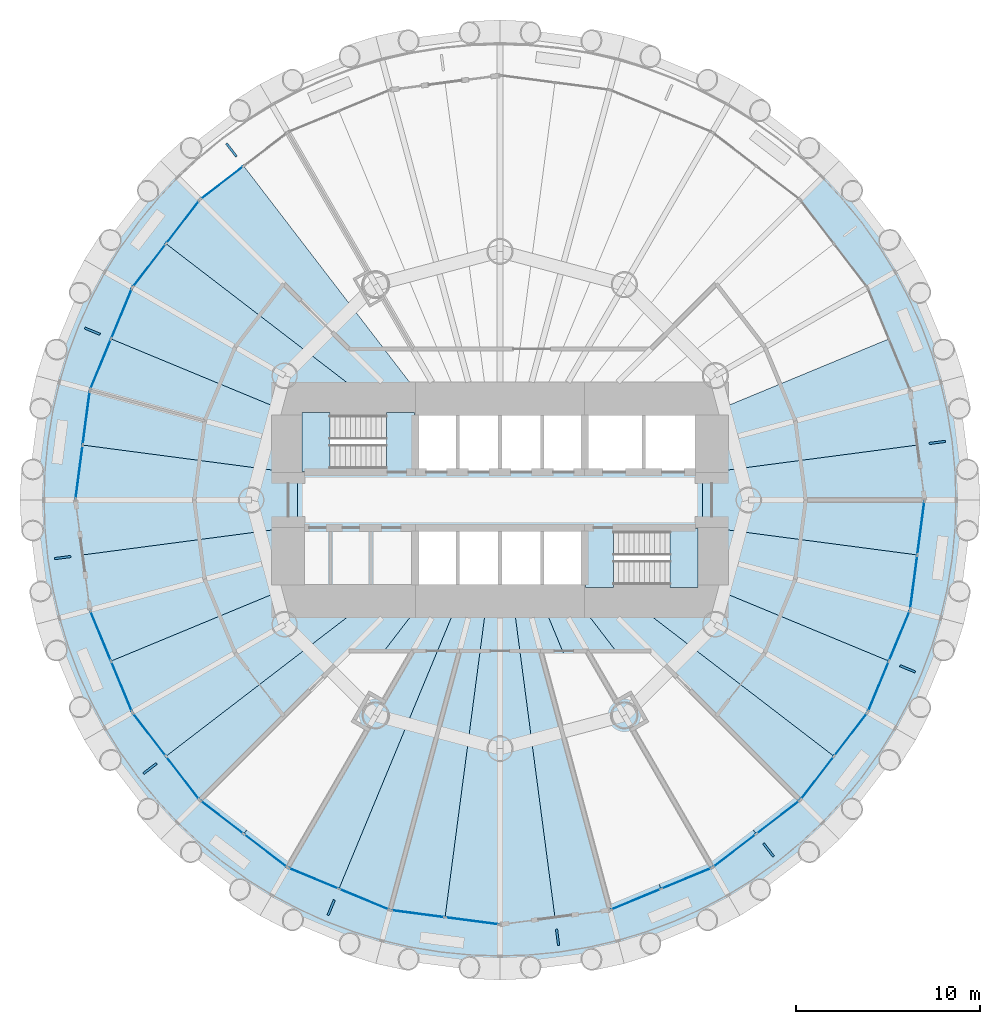
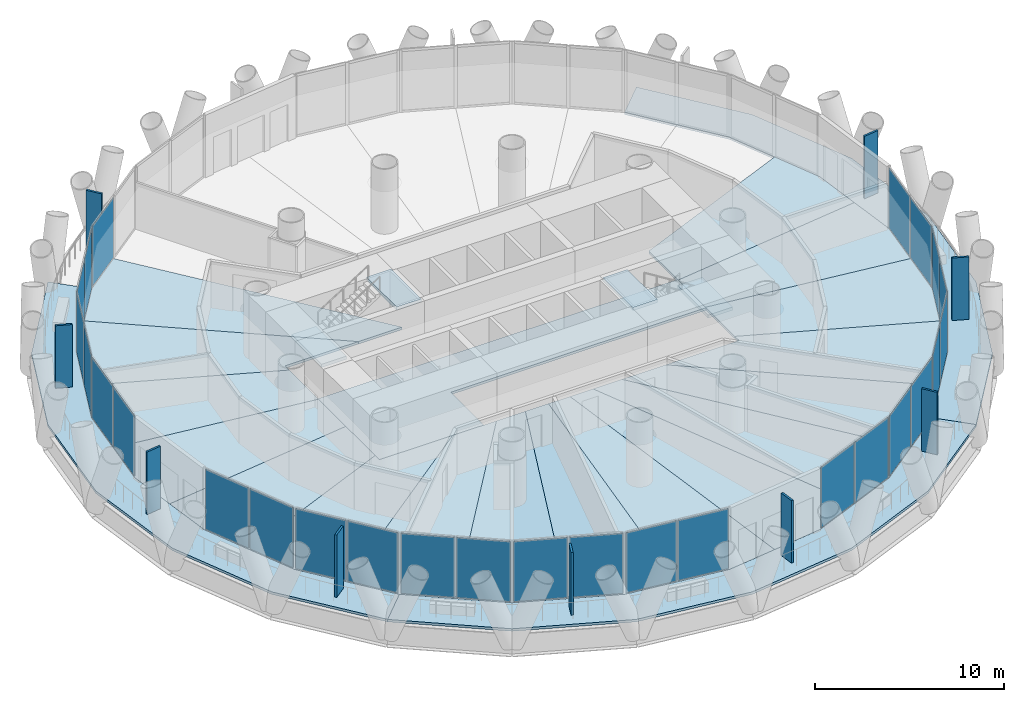
# One storey, part 7 of 14: 36 plates, 25 slabs, 16 elements without a shape of their own.
"""IFC4 building model written with IfcOpenShell, lengths in metres."""

from ifc_helpers import new_model, si_unit, direction, frame, origin, origin_2d, place, context, subcontext, project, spatial, polyline, rectangle, outline, extrude, material, layer, layer_set, type_object, element, aggregate, save


model = new_model("IFC4")

# Units and contexts
model_context = context("Model", 3, precision=1e-05, world=origin(), true_north=direction((0.0, 1.0)))
body_context = subcontext(model_context, "Body", "Model", "MODEL_VIEW")
ifc_project = project(units=[si_unit("LENGTHUNIT", "METRE"), si_unit("AREAUNIT", "SQUARE_METRE"), si_unit("VOLUMEUNIT", "CUBIC_METRE"), si_unit("PLANEANGLEUNIT", "RADIAN"), si_unit("MASSUNIT", "GRAM", prefix="KILO")], contexts=[model_context])

# Site, building, storey
site_placement = place(None, origin())
site = spatial("IfcSite", under=ifc_project, at=site_placement, CompositionType="ELEMENT")
building_placement = place(site_placement, origin())
building = spatial("IfcBuilding", under=site, at=building_placement, Name="Qaws Media Tower", CompositionType="ELEMENT")
storey_placement = place(building_placement, frame((0.0, 0.0, 93.199951171875)))
storey = spatial("IfcBuildingStorey", under=building, at=storey_placement, Name="L20", CompositionType="ELEMENT", Elevation=93.199951171875)

# Slabs
ifc_material_1 = material(Name="Concrete C35/45", Category="concrete")
ifc_layer_1 = layer(ifc_material_1, 0.159912109375)
ifc_layer_set_1 = layer_set([ifc_layer_1], Name="Composite balcony slab 160")
slab_type_1 = type_object("IfcSlabType", Name="Composite balcony slab 160", PredefinedType="FLOOR", material=ifc_layer_set_1)
slab_1_placement = place(storey_placement, frame((0.0, 0.0, -0.159912109375)))
element("IfcSlab", 1, at=slab_1_placement, inside=storey, type_object=slab_type_1, Name="S2 balcony slab L20 R10 to R16, movement joints on R10 and R16", PredefinedType="FLOOR", context=body_context, shape_type="SweptSolid", body=[
    extrude(outline(polyline([(37.959716796875, 37.27490234375), (35.417236328125, 43.4130859375), (34.550048828125, 50.0), (35.417236328125, 56.5869140625), (37.959716796875, 62.72509765625), (42.004150390625, 67.995849609375), (43.701171875, 66.298828125), (40.0380859375, 61.52490234375), (37.7353515625, 55.9658203125), (36.949951171875, 50.0), (37.7353515625, 44.0341796875), (40.0380859375, 38.47509765625), (43.701171875, 33.701171875), (42.004150390625, 32.004150390625), (37.959716796875, 37.27490234375)])), origin(), (0.0, 0.0, 1.0), 0.159912109375),
])
slab_2_placement = place(storey_placement, frame((0.0, 0.0, -0.159912109375)))
element("IfcSlab", 2, at=slab_2_placement, inside=storey, type_object=slab_type_1, Name="S2 balcony slab L20 R16 to R22, movement joints on R16 and R22", PredefinedType="FLOOR", context=body_context, shape_type="SweptSolid", body=[
    extrude(outline(polyline([(72.72509765625, 27.959716796875), (66.5869140625, 25.417236328125), (60.0, 24.550048828125), (53.4130859375, 25.417236328125), (47.27490234375, 27.959716796875), (42.004150390625, 32.004150390625), (43.701171875, 33.701171875), (48.47509765625, 30.0380859375), (54.0341796875, 27.7353515625), (60.0, 26.949951171875), (65.9658203125, 27.7353515625), (71.52490234375, 30.0380859375), (76.298828125, 33.701171875), (77.995849609375, 32.004150390625), (72.72509765625, 27.959716796875)])), origin(), (0.0, 0.0, 1.0), 0.159912109375),
])
slab_3_placement = place(storey_placement, frame((0.0, 0.0, -0.159912109375)))
element("IfcSlab", 3, at=slab_3_placement, inside=storey, type_object=slab_type_1, Name="S2 balcony slab L20 R22 to R04, movement joints on R22 and R04", PredefinedType="FLOOR", context=body_context, shape_type="SweptSolid", body=[
    extrude(outline(polyline([(82.040283203125, 37.27490234375), (77.995849609375, 32.004150390625), (76.298828125, 33.701171875), (79.9619140625, 38.47509765625), (82.2646484375, 44.0341796875), (83.050048828125, 50.0), (82.2646484375, 55.9658203125), (79.9619140625, 61.52490234375), (76.298828125, 66.298828125), (77.995849609375, 67.995849609375), (82.040283203125, 62.72509765625), (84.582763671875, 56.5869140625), (85.449951171875, 50.0), (84.582763671875, 43.4130859375), (82.040283203125, 37.27490234375)])), origin(), (0.0, 0.0, 1.0), 0.159912109375),
])
ifc_material_2 = material(Name="Concrete C35/45", Category="concrete")
ifc_layer_2 = layer(ifc_material_2, 0.159912109375)
ifc_layer_set_2 = layer_set([ifc_layer_2], Name="Composite floor slab 160")
slab_type_2 = type_object("IfcSlabType", Name="Composite floor slab 160", PredefinedType="FLOOR", material=ifc_layer_set_2)
slab_4_placement = place(storey_placement, frame((0.0, 0.0, -0.159912109375)))
element("IfcSlab", 4, at=slab_4_placement, inside=storey, type_object=slab_type_2, Name="S1 core floor slab L20", PredefinedType="FLOOR", context=body_context, shape_type="SweptSolid", body=[
    extrude(outline(polyline([(71.0, 51.5), (71.0, 48.5), (55.39990234375, 48.5), (55.39990234375, 45.0), (49.0, 45.0), (49.0, 51.5), (71.0, 51.5)])), origin(), (0.0, 0.0, 1.0), 0.159912109375),
])
slab_5_placement = place(storey_placement, frame((0.0, 0.0, -0.159912109375)))
element("IfcSlab", 5, at=slab_5_placement, inside=storey, type_object=slab_type_2, Name="S1 floor panel L20 on R01", PredefinedType="FLOOR", context=body_context, shape_type="SweptSolid", body=[
    extrude(outline(polyline([(83.050048828125, 50.0), (82.6572265625, 47.01708984375), (71.0, 48.5517578125), (71.0, 51.4482421875), (82.6572265625, 52.98291015625), (83.050048828125, 50.0)])), origin(), (0.0, 0.0, 1.0), 0.159912109375),
])
slab_6_placement = place(storey_placement, frame((0.0, 0.0, -0.159912109375)))
element("IfcSlab", 6, at=slab_6_placement, inside=storey, type_object=slab_type_2, Name="S1 floor panel L20 on R02", PredefinedType="FLOOR", context=body_context, shape_type="SweptSolid", body=[
    extrude(outline(polyline([(82.2646484375, 55.9658203125), (82.6572265625, 52.98291015625), (71.0, 51.4482421875), (71.0, 54.556396484375), (81.11328125, 58.745361328125), (82.2646484375, 55.9658203125)])), origin(), (0.0, 0.0, 1.0), 0.159912109375),
])
slab_7_placement = place(storey_placement, frame((0.0, 0.0, -0.159912109375)))
element("IfcSlab", 7, at=slab_7_placement, inside=storey, type_object=slab_type_2, Name="S1 floor panel L20 on R10", PredefinedType="FLOOR", context=body_context, shape_type="SweptSolid", body=[
    extrude(outline(polyline([(43.701171875, 66.298828125), (46.088134765625, 68.13037109375), (56.163330078125, 55.0), (53.48388671875, 55.0), (41.86962890625, 63.911865234375), (43.701171875, 66.298828125)])), origin(), (0.0, 0.0, 1.0), 0.159912109375),
])
slab_8_placement = place(storey_placement, frame((0.0, 0.0, -0.159912109375)))
element("IfcSlab", 8, at=slab_8_placement, inside=storey, type_object=slab_type_2, Name="S1 floor panel L20 on R11", PredefinedType="FLOOR", context=body_context, shape_type="SweptSolid", body=[
    extrude(outline(polyline([(40.0380859375, 61.52490234375), (41.86962890625, 63.911865234375), (53.48388671875, 55.0), (49.0, 55.0), (49.0, 54.556396484375), (38.88671875, 58.745361328125), (40.0380859375, 61.52490234375)])), origin(), (0.0, 0.0, 1.0), 0.159912109375),
])
slab_9_placement = place(storey_placement, frame((0.0, 0.0, -0.159912109375)))
element("IfcSlab", 9, at=slab_9_placement, inside=storey, type_object=slab_type_2, Name="S1 floor panel L20 on R12", PredefinedType="FLOOR", context=body_context, shape_type="SweptSolid", body=[
    extrude(outline(polyline([(37.7353515625, 55.9658203125), (38.88671875, 58.745361328125), (49.0, 54.556396484375), (49.0, 51.4482421875), (37.3427734375, 52.98291015625), (37.7353515625, 55.9658203125)])), origin(), (0.0, 0.0, 1.0), 0.159912109375),
])
slab_10_placement = place(storey_placement, frame((0.0, 0.0, -0.159912109375)))
element("IfcSlab", 10, at=slab_10_placement, inside=storey, type_object=slab_type_2, Name="S1 floor panel L20 on R13", PredefinedType="FLOOR", context=body_context, shape_type="SweptSolid", body=[
    extrude(outline(polyline([(36.949951171875, 50.0), (37.3427734375, 52.98291015625), (49.0, 51.4482421875), (49.0, 48.5517578125), (37.3427734375, 47.01708984375), (36.949951171875, 50.0)])), origin(), (0.0, 0.0, 1.0), 0.159912109375),
])
slab_11_placement = place(storey_placement, frame((0.0, 0.0, -0.159912109375)))
element("IfcSlab", 11, at=slab_11_placement, inside=storey, type_object=slab_type_2, Name="S1 floor panel L20 on R14", PredefinedType="FLOOR", context=body_context, shape_type="SweptSolid", body=[
    extrude(outline(polyline([(37.7353515625, 44.0341796875), (37.3427734375, 47.01708984375), (49.0, 48.5517578125), (49.0, 45.443603515625), (38.88671875, 41.254638671875), (37.7353515625, 44.0341796875)])), origin(), (0.0, 0.0, 1.0), 0.159912109375),
])
slab_12_placement = place(storey_placement, frame((0.0, 0.0, -0.159912109375)))
element("IfcSlab", 12, at=slab_12_placement, inside=storey, type_object=slab_type_2, Name="S1 floor panel L20 on R15", PredefinedType="FLOOR", context=body_context, shape_type="SweptSolid", body=[
    extrude(outline(polyline([(40.0380859375, 38.47509765625), (38.88671875, 41.254638671875), (49.0, 45.443603515625), (49.0, 45.0), (53.48388671875, 45.0), (41.86962890625, 36.088134765625), (40.0380859375, 38.47509765625)])), origin(), (0.0, 0.0, 1.0), 0.159912109375),
])
slab_13_placement = place(storey_placement, frame((0.0, 0.0, -0.159912109375)))
element("IfcSlab", 13, at=slab_13_placement, inside=storey, type_object=slab_type_2, Name="S1 floor panel L20 on R16", PredefinedType="FLOOR", context=body_context, shape_type="SweptSolid", body=[
    extrude(outline(polyline([(43.701171875, 33.701171875), (41.86962890625, 36.088134765625), (53.48388671875, 45.0), (56.163330078125, 45.0), (46.088134765625, 31.86962890625), (43.701171875, 33.701171875)])), origin(), (0.0, 0.0, 1.0), 0.159912109375),
])
slab_14_placement = place(storey_placement, frame((0.0, 0.0, -0.159912109375)))
element("IfcSlab", 14, at=slab_14_placement, inside=storey, type_object=slab_type_2, Name="S1 floor panel L20 on R17", PredefinedType="FLOOR", context=body_context, shape_type="SweptSolid", body=[
    extrude(outline(polyline([(48.47509765625, 30.0380859375), (46.088134765625, 31.86962890625), (56.163330078125, 45.0), (57.928955078125, 45.0), (51.254638671875, 28.88671875), (48.47509765625, 30.0380859375)])), origin(), (0.0, 0.0, 1.0), 0.159912109375),
])
slab_15_placement = place(storey_placement, frame((0.0, 0.0, -0.159912109375)))
element("IfcSlab", 15, at=slab_15_placement, inside=storey, type_object=slab_type_2, Name="S1 floor panel L20 on R18", PredefinedType="FLOOR", context=body_context, shape_type="SweptSolid", body=[
    extrude(outline(polyline([(54.0341796875, 27.7353515625), (51.254638671875, 28.88671875), (57.928955078125, 45.0), (59.341796875, 45.0), (57.01708984375, 27.3427734375), (54.0341796875, 27.7353515625)])), origin(), (0.0, 0.0, 1.0), 0.159912109375),
])
slab_16_placement = place(storey_placement, frame((0.0, 0.0, -0.159912109375)))
element("IfcSlab", 16, at=slab_16_placement, inside=storey, type_object=slab_type_2, Name="S1 floor panel L20 on R19", PredefinedType="FLOOR", context=body_context, shape_type="SweptSolid", body=[
    extrude(outline(polyline([(60.0, 26.949951171875), (57.01708984375, 27.3427734375), (59.341796875, 45.0), (60.658203125, 45.0), (62.98291015625, 27.3427734375), (60.0, 26.949951171875)])), origin(), (0.0, 0.0, 1.0), 0.159912109375),
])
slab_17_placement = place(storey_placement, frame((0.0, 0.0, -0.159912109375)))
element("IfcSlab", 17, at=slab_17_placement, inside=storey, type_object=slab_type_2, Name="S1 floor panel L20 on R20", PredefinedType="FLOOR", context=body_context, shape_type="SweptSolid", body=[
    extrude(outline(polyline([(65.9658203125, 27.7353515625), (62.98291015625, 27.3427734375), (60.658203125, 45.0), (62.071044921875, 45.0), (68.745361328125, 28.88671875), (65.9658203125, 27.7353515625)])), origin(), (0.0, 0.0, 1.0), 0.159912109375),
])
slab_18_placement = place(storey_placement, frame((0.0, 0.0, -0.159912109375)))
element("IfcSlab", 18, at=slab_18_placement, inside=storey, type_object=slab_type_2, Name="S1 floor panel L20 on R21", PredefinedType="FLOOR", context=body_context, shape_type="SweptSolid", body=[
    extrude(outline(polyline([(71.52490234375, 30.0380859375), (68.745361328125, 28.88671875), (62.071044921875, 45.0), (63.836669921875, 45.0), (73.911865234375, 31.86962890625), (71.52490234375, 30.0380859375)])), origin(), (0.0, 0.0, 1.0), 0.159912109375),
])
slab_19_placement = place(storey_placement, frame((0.0, 0.0, -0.159912109375)))
element("IfcSlab", 19, at=slab_19_placement, inside=storey, type_object=slab_type_2, Name="S1 floor panel L20 on R22", PredefinedType="FLOOR", context=body_context, shape_type="SweptSolid", body=[
    extrude(outline(polyline([(76.298828125, 33.701171875), (73.911865234375, 31.86962890625), (63.836669921875, 45.0), (66.51611328125, 45.0), (78.13037109375, 36.088134765625), (76.298828125, 33.701171875)])), origin(), (0.0, 0.0, 1.0), 0.159912109375),
])
slab_20_placement = place(storey_placement, frame((0.0, 0.0, -0.159912109375)))
element("IfcSlab", 20, at=slab_20_placement, inside=storey, type_object=slab_type_2, Name="S1 floor panel L20 on R23", PredefinedType="FLOOR", context=body_context, shape_type="SweptSolid", body=[
    extrude(outline(polyline([(79.9619140625, 38.47509765625), (78.13037109375, 36.088134765625), (66.51611328125, 45.0), (71.0, 45.0), (71.0, 45.443603515625), (81.11328125, 41.254638671875), (79.9619140625, 38.47509765625)])), origin(), (0.0, 0.0, 1.0), 0.159912109375),
])
slab_21_placement = place(storey_placement, frame((0.0, 0.0, -0.159912109375)))
element("IfcSlab", 21, at=slab_21_placement, inside=storey, type_object=slab_type_2, Name="S1 floor panel L20 on R24", PredefinedType="FLOOR", context=body_context, shape_type="SweptSolid", body=[
    extrude(outline(polyline([(81.11328125, 41.254638671875), (71.0, 45.443603515625), (71.0, 48.5517578125), (82.6572265625, 47.01708984375), (82.2646484375, 44.0341796875), (81.11328125, 41.254638671875)])), origin(), (0.0, 0.0, 1.0), 0.159912109375),
])

# Curtain wall, plate
ifc_material_3 = material(Name="Aluminium and clear glass", Category="aluminium")
curtain_wall_type = type_object("IfcCurtainWallType", Name="Unitised curtain wall CW-A", PredefinedType="NOTDEFINED", material=ifc_material_3)
curtain_wall_1_placement = place(storey_placement, origin())
curtain_wall_1 = element("IfcCurtainWall", 22, at=curtain_wall_1_placement, inside=storey, type_object=curtain_wall_type, Name="CWA curtain wall L20-09", PredefinedType="NOTDEFINED")
ifc_material_4 = material(Name="Clear laminated double glazing", Category="glass")
ifc_layer_3 = layer(ifc_material_4, 0.031982421875)
ifc_layer_set_3 = layer_set([ifc_layer_3], Name="Curtain wall glass unit 32")
plate_type_1 = type_object("IfcPlateType", Name="Curtain wall glass unit 32", PredefinedType="CURTAIN_PANEL", material=ifc_layer_set_3)
plate_1_placement = place(storey_placement, frame((44.910400390625, 67.226806640625, 0.080078125), z_axis=(0.0, 0.0, 1.0), x_axis=(-0.793353261295, -0.608761531958, 0.0)))
plate_1 = element("IfcPlate", 23, at=plate_1_placement, type_object=plate_type_1, Name="CWA panel 2.1", PredefinedType="CURTAIN_PANEL", context=body_context, shape_type="SweptSolid", body=[
    extrude(rectangle(XDim=2.888671875, YDim=0.031982421875, at=origin_2d()), origin(), (0.0, 0.0, 1.0), 3.8798828125),
])
aggregate(curtain_wall_1, [plate_1])

# Curtain wall, plates
curtain_wall_2_placement = place(storey_placement, origin())
curtain_wall_2 = element("IfcCurtainWall", 24, at=curtain_wall_2_placement, inside=storey, type_object=curtain_wall_type, Name="CWA curtain wall L20-10", PredefinedType="NOTDEFINED")
plate_2_placement = place(storey_placement, frame((42.773193359375, 65.089599609375, 0.080078125), z_axis=(0.0, 0.0, 1.0), x_axis=(-0.608761531958, -0.793353261295, 0.0)))
plate_2 = element("IfcPlate", 25, at=plate_2_placement, type_object=plate_type_1, Name="CWA panel 1.1", PredefinedType="CURTAIN_PANEL", context=body_context, shape_type="SweptSolid", body=[
    extrude(rectangle(XDim=2.888671875, YDim=0.031982421875, at=origin_2d()), origin(), (0.0, 0.0, 1.0), 3.8798828125),
])
plate_3_placement = place(storey_placement, frame((40.966064453125, 62.734375, 0.080078125), z_axis=(0.0, 0.0, 1.0), x_axis=(-0.608761531958, -0.793353261295, 0.0)))
plate_3 = element("IfcPlate", 26, at=plate_3_placement, type_object=plate_type_1, Name="CWA panel 2.1", PredefinedType="CURTAIN_PANEL", context=body_context, shape_type="SweptSolid", body=[
    extrude(rectangle(XDim=2.888671875, YDim=0.031982421875, at=origin_2d()), origin(), (0.0, 0.0, 1.0), 3.8798828125),
])
aggregate(curtain_wall_2, [plate_2, plate_3])

curtain_wall_3_placement = place(storey_placement, origin())
curtain_wall_3 = element("IfcCurtainWall", 27, at=curtain_wall_3_placement, inside=storey, type_object=curtain_wall_type, Name="CWA curtain wall L20-11", PredefinedType="NOTDEFINED")
plate_4_placement = place(storey_placement, frame((39.454833984375, 60.11669921875, 0.080078125), z_axis=(0.0, 0.0, 1.0), x_axis=(-0.382683328183, -0.923879575665, 0.0)))
plate_4 = element("IfcPlate", 28, at=plate_4_placement, type_object=plate_type_1, Name="CWA panel 1.1", PredefinedType="CURTAIN_PANEL", context=body_context, shape_type="SweptSolid", body=[
    extrude(rectangle(XDim=2.888671875, YDim=0.031982421875, at=origin_2d()), origin(), (0.0, 0.0, 1.0), 3.8798828125),
])
plate_5_placement = place(storey_placement, frame((38.31884765625, 57.3740234375, 0.080078125), z_axis=(0.0, 0.0, 1.0), x_axis=(-0.382683328183, -0.923879575665, 0.0)))
plate_5 = element("IfcPlate", 29, at=plate_5_placement, type_object=plate_type_1, Name="CWA panel 2.1", PredefinedType="CURTAIN_PANEL", context=body_context, shape_type="SweptSolid", body=[
    extrude(rectangle(XDim=2.888671875, YDim=0.031982421875, at=origin_2d()), origin(), (0.0, 0.0, 1.0), 3.8798828125),
])
aggregate(curtain_wall_3, [plate_4, plate_5])

curtain_wall_4_placement = place(storey_placement, origin())
curtain_wall_4 = element("IfcCurtainWall", 30, at=curtain_wall_4_placement, inside=storey, type_object=curtain_wall_type, Name="CWA curtain wall L20-12", PredefinedType="NOTDEFINED")
plate_6_placement = place(storey_placement, frame((37.536376953125, 54.45458984375, 0.080078125), z_axis=(0.0, 0.0, 1.0), x_axis=(-0.130526240342, -0.991444855038, 0.0)))
plate_6 = element("IfcPlate", 31, at=plate_6_placement, type_object=plate_type_1, Name="CWA panel 1.1", PredefinedType="CURTAIN_PANEL", context=body_context, shape_type="SweptSolid", body=[
    extrude(rectangle(XDim=2.888671875, YDim=0.031982421875, at=origin_2d()), origin(), (0.0, 0.0, 1.0), 3.8798828125),
])
plate_7_placement = place(storey_placement, frame((37.14892578125, 51.51123046875, 0.080078125), z_axis=(0.0, 0.0, 1.0), x_axis=(-0.130526240342, -0.991444855038, 0.0)))
plate_7 = element("IfcPlate", 32, at=plate_7_placement, type_object=plate_type_1, Name="CWA panel 2.1", PredefinedType="CURTAIN_PANEL", context=body_context, shape_type="SweptSolid", body=[
    extrude(rectangle(XDim=2.888671875, YDim=0.031982421875, at=origin_2d()), origin(), (0.0, 0.0, 1.0), 3.8798828125),
])
aggregate(curtain_wall_4, [plate_6, plate_7])

curtain_wall_5_placement = place(storey_placement, origin())
curtain_wall_5 = element("IfcCurtainWall", 33, at=curtain_wall_5_placement, inside=storey, type_object=curtain_wall_type, Name="CWA curtain wall L20-14", PredefinedType="NOTDEFINED")
plate_8_placement = place(storey_placement, frame((38.31884765625, 42.6259765625, 0.080078125), z_axis=(0.0, 0.0, 1.0), x_axis=(0.382683328183, -0.923879575665, 0.0)))
plate_8 = element("IfcPlate", 34, at=plate_8_placement, type_object=plate_type_1, Name="CWA panel 1.1", PredefinedType="CURTAIN_PANEL", context=body_context, shape_type="SweptSolid", body=[
    extrude(rectangle(XDim=2.888671875, YDim=0.031982421875, at=origin_2d()), origin(), (0.0, 0.0, 1.0), 3.8798828125),
])
plate_9_placement = place(storey_placement, frame((39.454833984375, 39.88330078125, 0.080078125), z_axis=(0.0, 0.0, 1.0), x_axis=(0.382683328183, -0.923879575665, 0.0)))
plate_9 = element("IfcPlate", 35, at=plate_9_placement, type_object=plate_type_1, Name="CWA panel 2.1", PredefinedType="CURTAIN_PANEL", context=body_context, shape_type="SweptSolid", body=[
    extrude(rectangle(XDim=2.888671875, YDim=0.031982421875, at=origin_2d()), origin(), (0.0, 0.0, 1.0), 3.8798828125),
])
aggregate(curtain_wall_5, [plate_8, plate_9])

curtain_wall_6_placement = place(storey_placement, origin())
curtain_wall_6 = element("IfcCurtainWall", 36, at=curtain_wall_6_placement, inside=storey, type_object=curtain_wall_type, Name="CWA curtain wall L20-15", PredefinedType="NOTDEFINED")
plate_10_placement = place(storey_placement, frame((40.966064453125, 37.265625, 0.080078125), z_axis=(0.0, 0.0, 1.0), x_axis=(0.608761531958, -0.793353261295, 0.0)))
plate_10 = element("IfcPlate", 37, at=plate_10_placement, type_object=plate_type_1, Name="CWA panel 1.1", PredefinedType="CURTAIN_PANEL", context=body_context, shape_type="SweptSolid", body=[
    extrude(rectangle(XDim=2.888671875, YDim=0.031982421875, at=origin_2d()), origin(), (0.0, 0.0, 1.0), 3.8798828125),
])
plate_11_placement = place(storey_placement, frame((42.773193359375, 34.910400390625, 0.080078125), z_axis=(0.0, 0.0, 1.0), x_axis=(0.608761531958, -0.793353261295, 0.0)))
plate_11 = element("IfcPlate", 38, at=plate_11_placement, type_object=plate_type_1, Name="CWA panel 2.1", PredefinedType="CURTAIN_PANEL", context=body_context, shape_type="SweptSolid", body=[
    extrude(rectangle(XDim=2.888671875, YDim=0.031982421875, at=origin_2d()), origin(), (0.0, 0.0, 1.0), 3.8798828125),
])
aggregate(curtain_wall_6, [plate_10, plate_11])

curtain_wall_7_placement = place(storey_placement, origin())
curtain_wall_7 = element("IfcCurtainWall", 39, at=curtain_wall_7_placement, inside=storey, type_object=curtain_wall_type, Name="CWA curtain wall L20-16", PredefinedType="NOTDEFINED")
plate_12_placement = place(storey_placement, frame((44.910400390625, 32.773193359375, 0.080078125), z_axis=(0.0, 0.0, 1.0), x_axis=(0.793353261295, -0.608761531958, 0.0)))
plate_12 = element("IfcPlate", 40, at=plate_12_placement, type_object=plate_type_1, Name="CWA panel 1.1", PredefinedType="CURTAIN_PANEL", context=body_context, shape_type="SweptSolid", body=[
    extrude(rectangle(XDim=2.888671875, YDim=0.031982421875, at=origin_2d()), origin(), (0.0, 0.0, 1.0), 3.8798828125),
])
plate_13_placement = place(storey_placement, frame((47.265625, 30.966064453125, 0.080078125), z_axis=(0.0, 0.0, 1.0), x_axis=(0.793353261295, -0.608761531958, 0.0)))
plate_13 = element("IfcPlate", 41, at=plate_13_placement, type_object=plate_type_1, Name="CWA panel 2.1", PredefinedType="CURTAIN_PANEL", context=body_context, shape_type="SweptSolid", body=[
    extrude(rectangle(XDim=2.888671875, YDim=0.031982421875, at=origin_2d()), origin(), (0.0, 0.0, 1.0), 3.8798828125),
])
aggregate(curtain_wall_7, [plate_12, plate_13])

curtain_wall_8_placement = place(storey_placement, origin())
curtain_wall_8 = element("IfcCurtainWall", 42, at=curtain_wall_8_placement, inside=storey, type_object=curtain_wall_type, Name="CWA curtain wall L20-17", PredefinedType="NOTDEFINED")
plate_14_placement = place(storey_placement, frame((49.88330078125, 29.454833984375, 0.080078125), z_axis=(0.0, 0.0, 1.0), x_axis=(0.923879575665, -0.382683328183, 0.0)))
plate_14 = element("IfcPlate", 43, at=plate_14_placement, type_object=plate_type_1, Name="CWA panel 1.1", PredefinedType="CURTAIN_PANEL", context=body_context, shape_type="SweptSolid", body=[
    extrude(rectangle(XDim=2.888671875, YDim=0.031982421875, at=origin_2d()), origin(), (0.0, 0.0, 1.0), 3.8798828125),
])
plate_15_placement = place(storey_placement, frame((52.6259765625, 28.31884765625, 0.080078125), z_axis=(0.0, 0.0, 1.0), x_axis=(0.923879575665, -0.382683328183, 0.0)))
plate_15 = element("IfcPlate", 44, at=plate_15_placement, type_object=plate_type_1, Name="CWA panel 2.1", PredefinedType="CURTAIN_PANEL", context=body_context, shape_type="SweptSolid", body=[
    extrude(rectangle(XDim=2.888671875, YDim=0.031982421875, at=origin_2d()), origin(), (0.0, 0.0, 1.0), 3.8798828125),
])
aggregate(curtain_wall_8, [plate_14, plate_15])

curtain_wall_9_placement = place(storey_placement, origin())
curtain_wall_9 = element("IfcCurtainWall", 45, at=curtain_wall_9_placement, inside=storey, type_object=curtain_wall_type, Name="CWA curtain wall L20-18", PredefinedType="NOTDEFINED")
plate_16_placement = place(storey_placement, frame((55.54541015625, 27.536376953125, 0.080078125), z_axis=(0.0, 0.0, 1.0), x_axis=(0.991444855038, -0.130526240342, 0.0)))
plate_16 = element("IfcPlate", 46, at=plate_16_placement, type_object=plate_type_1, Name="CWA panel 1.1", PredefinedType="CURTAIN_PANEL", context=body_context, shape_type="SweptSolid", body=[
    extrude(rectangle(XDim=2.888671875, YDim=0.031982421875, at=origin_2d()), origin(), (0.0, 0.0, 1.0), 3.8798828125),
])
plate_17_placement = place(storey_placement, frame((58.48876953125, 27.14892578125, 0.080078125), z_axis=(0.0, 0.0, 1.0), x_axis=(0.991444855038, -0.130526240342, 0.0)))
plate_17 = element("IfcPlate", 47, at=plate_17_placement, type_object=plate_type_1, Name="CWA panel 2.1", PredefinedType="CURTAIN_PANEL", context=body_context, shape_type="SweptSolid", body=[
    extrude(rectangle(XDim=2.888671875, YDim=0.031982421875, at=origin_2d()), origin(), (0.0, 0.0, 1.0), 3.8798828125),
])
aggregate(curtain_wall_9, [plate_16, plate_17])

curtain_wall_10_placement = place(storey_placement, origin())
curtain_wall_10 = element("IfcCurtainWall", 48, at=curtain_wall_10_placement, inside=storey, type_object=curtain_wall_type, Name="CWA curtain wall L20-20", PredefinedType="NOTDEFINED")
plate_18_placement = place(storey_placement, frame((67.3740234375, 28.31884765625, 0.080078125), z_axis=(0.0, 0.0, 1.0), x_axis=(0.923879575665, 0.382683328183, 0.0)))
plate_18 = element("IfcPlate", 49, at=plate_18_placement, type_object=plate_type_1, Name="CWA panel 1.1", PredefinedType="CURTAIN_PANEL", context=body_context, shape_type="SweptSolid", body=[
    extrude(rectangle(XDim=2.888671875, YDim=0.031982421875, at=origin_2d()), origin(), (0.0, 0.0, 1.0), 3.8798828125),
])
plate_19_placement = place(storey_placement, frame((70.11669921875, 29.454833984375, 0.080078125), z_axis=(0.0, 0.0, 1.0), x_axis=(0.923879575665, 0.382683328183, 0.0)))
plate_19 = element("IfcPlate", 50, at=plate_19_placement, type_object=plate_type_1, Name="CWA panel 2.1", PredefinedType="CURTAIN_PANEL", context=body_context, shape_type="SweptSolid", body=[
    extrude(rectangle(XDim=2.888671875, YDim=0.031982421875, at=origin_2d()), origin(), (0.0, 0.0, 1.0), 3.8798828125),
])
aggregate(curtain_wall_10, [plate_18, plate_19])

curtain_wall_11_placement = place(storey_placement, origin())
curtain_wall_11 = element("IfcCurtainWall", 51, at=curtain_wall_11_placement, inside=storey, type_object=curtain_wall_type, Name="CWA curtain wall L20-21", PredefinedType="NOTDEFINED")
plate_20_placement = place(storey_placement, frame((72.734375, 30.966064453125, 0.080078125), z_axis=(0.0, 0.0, 1.0), x_axis=(0.793353261295, 0.608761531958, 0.0)))
plate_20 = element("IfcPlate", 52, at=plate_20_placement, type_object=plate_type_1, Name="CWA panel 1.1", PredefinedType="CURTAIN_PANEL", context=body_context, shape_type="SweptSolid", body=[
    extrude(rectangle(XDim=2.888671875, YDim=0.031982421875, at=origin_2d()), origin(), (0.0, 0.0, 1.0), 3.8798828125),
])
plate_21_placement = place(storey_placement, frame((75.089599609375, 32.773193359375, 0.080078125), z_axis=(0.0, 0.0, 1.0), x_axis=(0.793353261295, 0.608761531958, 0.0)))
plate_21 = element("IfcPlate", 53, at=plate_21_placement, type_object=plate_type_1, Name="CWA panel 2.1", PredefinedType="CURTAIN_PANEL", context=body_context, shape_type="SweptSolid", body=[
    extrude(rectangle(XDim=2.888671875, YDim=0.031982421875, at=origin_2d()), origin(), (0.0, 0.0, 1.0), 3.8798828125),
])
aggregate(curtain_wall_11, [plate_20, plate_21])

curtain_wall_12_placement = place(storey_placement, origin())
curtain_wall_12 = element("IfcCurtainWall", 54, at=curtain_wall_12_placement, inside=storey, type_object=curtain_wall_type, Name="CWA curtain wall L20-22", PredefinedType="NOTDEFINED")
plate_22_placement = place(storey_placement, frame((77.226806640625, 34.910400390625, 0.080078125), z_axis=(0.0, 0.0, 1.0), x_axis=(0.608761531958, 0.793353261295, 0.0)))
plate_22 = element("IfcPlate", 55, at=plate_22_placement, type_object=plate_type_1, Name="CWA panel 1.1", PredefinedType="CURTAIN_PANEL", context=body_context, shape_type="SweptSolid", body=[
    extrude(rectangle(XDim=2.888671875, YDim=0.031982421875, at=origin_2d()), origin(), (0.0, 0.0, 1.0), 3.8798828125),
])
plate_23_placement = place(storey_placement, frame((79.033935546875, 37.265625, 0.080078125), z_axis=(0.0, 0.0, 1.0), x_axis=(0.608761531958, 0.793353261295, 0.0)))
plate_23 = element("IfcPlate", 56, at=plate_23_placement, type_object=plate_type_1, Name="CWA panel 2.1", PredefinedType="CURTAIN_PANEL", context=body_context, shape_type="SweptSolid", body=[
    extrude(rectangle(XDim=2.888671875, YDim=0.031982421875, at=origin_2d()), origin(), (0.0, 0.0, 1.0), 3.8798828125),
])
aggregate(curtain_wall_12, [plate_22, plate_23])

curtain_wall_13_placement = place(storey_placement, origin())
curtain_wall_13 = element("IfcCurtainWall", 57, at=curtain_wall_13_placement, inside=storey, type_object=curtain_wall_type, Name="CWA curtain wall L20-23", PredefinedType="NOTDEFINED")
plate_24_placement = place(storey_placement, frame((80.545166015625, 39.88330078125, 0.080078125), z_axis=(0.0, 0.0, 1.0), x_axis=(0.382683328183, 0.923879575665, 0.0)))
plate_24 = element("IfcPlate", 58, at=plate_24_placement, type_object=plate_type_1, Name="CWA panel 1.1", PredefinedType="CURTAIN_PANEL", context=body_context, shape_type="SweptSolid", body=[
    extrude(rectangle(XDim=2.888671875, YDim=0.031982421875, at=origin_2d()), origin(), (0.0, 0.0, 1.0), 3.8798828125),
])
plate_25_placement = place(storey_placement, frame((81.68115234375, 42.6259765625, 0.080078125), z_axis=(0.0, 0.0, 1.0), x_axis=(0.382683328183, 0.923879575665, 0.0)))
plate_25 = element("IfcPlate", 59, at=plate_25_placement, type_object=plate_type_1, Name="CWA panel 2.1", PredefinedType="CURTAIN_PANEL", context=body_context, shape_type="SweptSolid", body=[
    extrude(rectangle(XDim=2.888671875, YDim=0.031982421875, at=origin_2d()), origin(), (0.0, 0.0, 1.0), 3.8798828125),
])
aggregate(curtain_wall_13, [plate_24, plate_25])

curtain_wall_14_placement = place(storey_placement, origin())
curtain_wall_14 = element("IfcCurtainWall", 60, at=curtain_wall_14_placement, inside=storey, type_object=curtain_wall_type, Name="CWA curtain wall L20-24", PredefinedType="NOTDEFINED")
plate_26_placement = place(storey_placement, frame((82.463623046875, 45.54541015625, 0.080078125), z_axis=(0.0, 0.0, 1.0), x_axis=(0.130526240342, 0.991444855038, 0.0)))
plate_26 = element("IfcPlate", 61, at=plate_26_placement, type_object=plate_type_1, Name="CWA panel 1.1", PredefinedType="CURTAIN_PANEL", context=body_context, shape_type="SweptSolid", body=[
    extrude(rectangle(XDim=2.888671875, YDim=0.031982421875, at=origin_2d()), origin(), (0.0, 0.0, 1.0), 3.8798828125),
])
plate_27_placement = place(storey_placement, frame((82.85107421875, 48.48876953125, 0.080078125), z_axis=(0.0, 0.0, 1.0), x_axis=(0.130526240342, 0.991444855038, 0.0)))
plate_27 = element("IfcPlate", 62, at=plate_27_placement, type_object=plate_type_1, Name="CWA panel 2.1", PredefinedType="CURTAIN_PANEL", context=body_context, shape_type="SweptSolid", body=[
    extrude(rectangle(XDim=2.888671875, YDim=0.031982421875, at=origin_2d()), origin(), (0.0, 0.0, 1.0), 3.8798828125),
])
aggregate(curtain_wall_14, [plate_26, plate_27])

# Plates
ifc_material_5 = material(Name="Precast concrete screen fin", Category="concrete")
ifc_layer_4 = layer(ifc_material_5, 0.1201171875)
ifc_layer_set_4 = layer_set([ifc_layer_4], Name="Screen fin 120x900")
plate_type_2 = type_object("IfcPlateType", Name="Screen fin 120x900", PredefinedType="USERDEFINED", material=ifc_layer_set_4)
for number, where, z_axis, x_axis, name in (
    (63, (83.7451171875, 53.126220703125, 0.0), (0.0, 0.0, 1.0), (0.991444861374, 0.13052619222, 0.0), "SCR1 screen fin L20-01"),
    (64, (45.420166015625, 69.000732421875, 0.0), (0.0, 0.0, 1.0), (-0.608761429009, 0.793353340291, 0.0), "SCR1 screen fin L20-05"),
    (65, (37.873046875, 59.165283203125, 0.0), (0.0, 0.0, 1.0), (-0.923879532511, 0.382683432365, 0.0), "SCR1 screen fin L20-06"),
    (66, (36.2548828125, 46.873779296875, 0.0), (0.0, 0.0, 1.0), (-0.991444861374, -0.13052619222, 0.0), "SCR1 screen fin L20-07"),
    (67, (40.999267578125, 35.420166015625, 0.0), (0.0, 0.0, 1.0), (-0.793353340291, -0.608761429009, 0.0), "SCR1 screen fin L20-08"),
    (68, (50.834716796875, 27.873046875, 0.0), (0.0, 0.0, 1.0), (-0.382683432365, -0.923879532511, 0.0), "SCR1 screen fin L20-09"),
    (69, (63.126220703125, 26.2548828125, 0.0), (0.0, 0.0, 1.0), (0.13052619222, -0.991444861374, 0.0), "SCR1 screen fin L20-10"),
    (70, (74.579833984375, 30.999267578125, 0.0), (0.0, 0.0, 1.0), (0.608761429009, -0.793353340291, 0.0), "SCR1 screen fin L20-11"),
    (71, (82.126953125, 40.834716796875, 0.0), (0.0, 0.0, 1.0), (0.923879532511, -0.382683432365, 0.0), "SCR1 screen fin L20-12"),
):
    element("IfcPlate", number, at=place(storey_placement, frame(where, z_axis=z_axis, x_axis=x_axis)), inside=storey, type_object=plate_type_2, Name=name, ObjectType="SCREEN", PredefinedType="USERDEFINED", context=body_context, shape_type="SweptSolid", body=[
        extrude(rectangle(XDim=0.89990234375, YDim=0.1201171875, at=origin_2d()), origin(), (0.0, 0.0, 1.0), 4.0400390625),
    ])

# Stair, slabs
ifc_material_6 = material(Name="Concrete C40/50", Category="concrete")
stair_type = type_object("IfcStairType", Name="Exit stair", PredefinedType="HALF_TURN_STAIR", material=ifc_material_6)
stair_1_placement = place(storey_placement, origin())
stair_1 = element("IfcStair", 72, at=stair_1_placement, inside=storey, type_object=stair_type, Name="S1 exit stair L20", PredefinedType="HALF_TURN_STAIR")
ifc_material_7 = material(Name="Concrete C40/50", Category="concrete")
ifc_layer_5 = layer(ifc_material_7, 0.199951171875)
ifc_layer_set_5 = layer_set([ifc_layer_5], Name="Stair landing 200")
slab_type_3 = type_object("IfcSlabType", Name="Stair landing 200", PredefinedType="LANDING", material=ifc_layer_set_5)
slab_22_placement = place(storey_placement, frame((0.0, 0.0, 1.900146484375)))
slab_22 = element("IfcSlab", 73, at=slab_22_placement, type_object=slab_type_3, Name="S1 landing 1", PredefinedType="LANDING", context=body_context, shape_type="SweptSolid", body=[
    extrude(outline(polyline([(49.25, 51.550048828125), (50.760009765625, 51.550048828125), (50.760009765625, 54.75), (49.25, 54.75), (49.25, 51.550048828125)])), origin(), (0.0, 0.0, 1.0), 0.199951171875),
])
slab_23_placement = place(storey_placement, frame((0.0, 0.0, 4.0)))
slab_23 = element("IfcSlab", 74, at=slab_23_placement, type_object=slab_type_3, Name="S1 landing 2", PredefinedType="LANDING", context=body_context, shape_type="SweptSolid", body=[
    extrude(outline(polyline([(53.840087890625, 51.550048828125), (55.35009765625, 51.550048828125), (55.35009765625, 54.75), (53.840087890625, 54.75), (53.840087890625, 51.550048828125)])), origin(), (0.0, 0.0, 1.0), 0.199951171875),
])
aggregate(stair_1, [slab_22, slab_23])

stair_2_placement = place(storey_placement, origin())
stair_2 = element("IfcStair", 75, at=stair_2_placement, inside=storey, type_object=stair_type, Name="S2 exit stair L20", PredefinedType="HALF_TURN_STAIR")
slab_24_placement = place(storey_placement, frame((0.0, 0.0, 1.900146484375)))
slab_24 = element("IfcSlab", 76, at=slab_24_placement, type_object=slab_type_3, Name="S2 landing 1", PredefinedType="LANDING", context=body_context, shape_type="SweptSolid", body=[
    extrude(outline(polyline([(69.239990234375, 45.25), (70.75, 45.25), (70.75, 48.449951171875), (69.239990234375, 48.449951171875), (69.239990234375, 45.25)])), origin(), (0.0, 0.0, 1.0), 0.199951171875),
])
slab_25_placement = place(storey_placement, frame((0.0, 0.0, 4.0)))
slab_25 = element("IfcSlab", 77, at=slab_25_placement, type_object=slab_type_3, Name="S2 landing 2", PredefinedType="LANDING", context=body_context, shape_type="SweptSolid", body=[
    extrude(outline(polyline([(64.64990234375, 45.25), (66.159912109375, 45.25), (66.159912109375, 48.449951171875), (64.64990234375, 48.449951171875), (64.64990234375, 45.25)])), origin(), (0.0, 0.0, 1.0), 0.199951171875),
])
aggregate(stair_2, [slab_24, slab_25])

save(model, "model.ifc")
